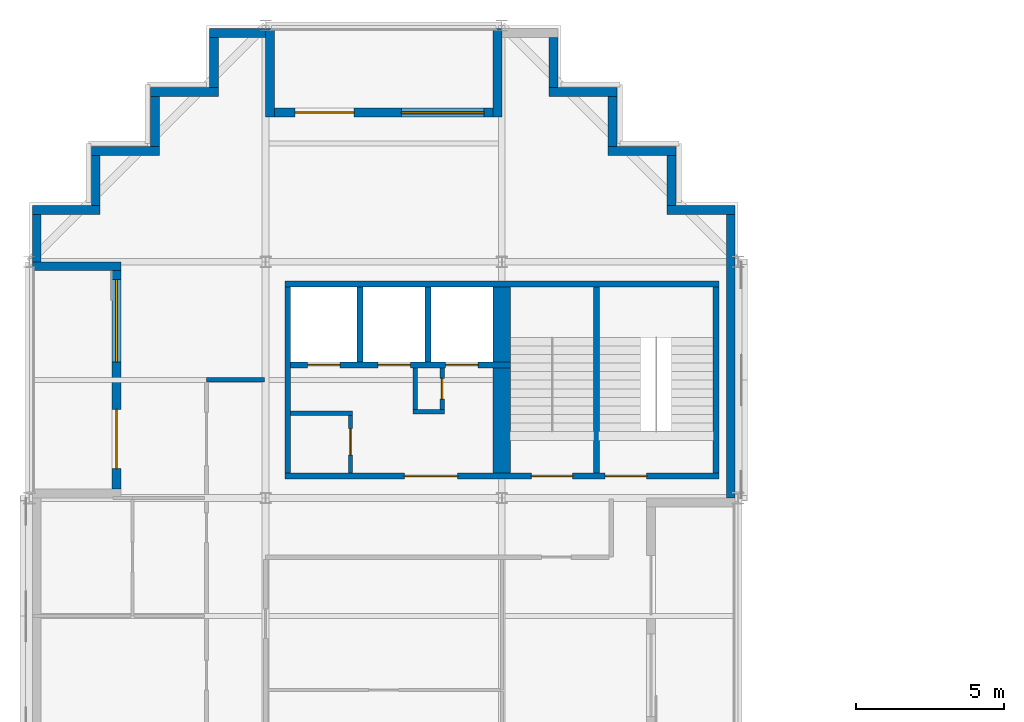
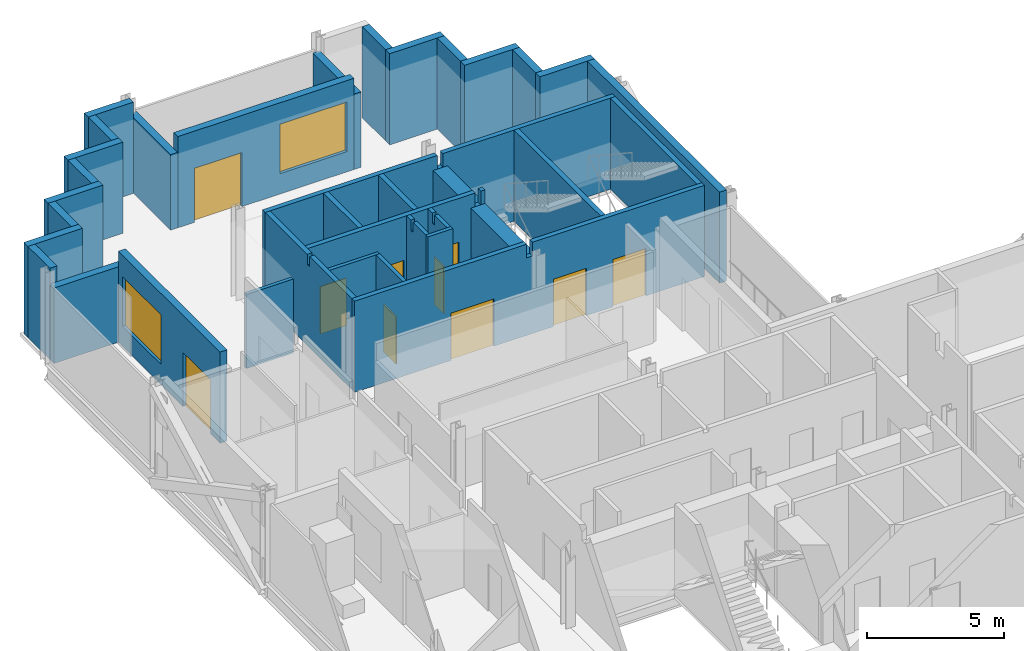
# One storey, part 8 of 12: 36 walls, 10 doors, 2 windows, 12 openings.
"""IFC4 building model written with IfcOpenShell, lengths in metres."""

import ifcopenshell
import ifcopenshell.guid

model = None  # the IFC model being written
_history = None  # IfcOwnerHistory: only IFC2X3 demands one
_inside = {}  # id of a spatial element -> (the spatial element, [elements in it])
_under = {}  # id of a project, library or spatial element -> (it, [spatial elements below it])
_declared = {}  # id of a project -> (the project, [libraries it declares])
_typed = {}  # id of a type object -> (the type object, [elements of that type])
_made_of = {}  # id of a material, layer set ... -> (it, [elements and type objects made of it])


def new_model(schema):
    """Start an empty IFC model of exactly this schema.

    Asked for "IFC4X3", IfcOpenShell would pick the latest addendum, in which some entities
    have other attributes; the version numbers below select the first issue.
    IFC2X3 requires an IfcOwnerHistory on every rooted entity: one is made here for all.
    """
    global model, _history
    if schema == "IFC4X3":
        model = ifcopenshell.file(schema_version=(4, 3, 0, 0))
    else:
        model = ifcopenshell.file(schema=schema)
    _inside.clear()
    _under.clear()
    _declared.clear()
    _typed.clear()
    _made_of.clear()
    _history = None
    if model.schema == "IFC2X3":
        org = make("IfcOrganization", Name="unknown")
        user = make(
            "IfcPersonAndOrganization",
            ThePerson=make("IfcPerson", FamilyName="unknown"),
            TheOrganization=org,
        )
        app = make(
            "IfcApplication",
            ApplicationDeveloper=org,
            Version="unknown",
            ApplicationFullName="unknown",
            ApplicationIdentifier="unknown",
        )
        _history = make(
            "IfcOwnerHistory",
            OwningUser=user,
            OwningApplication=app,
            ChangeAction="ADDED",
            CreationDate=0,
        )
    return model


def make(cls, **values):
    """One entity of the class cls with the attributes given. An attribute that is None is left unset."""
    return model.create_entity(
        cls, **{name: value for name, value in values.items() if value is not None}
    )


def rooted(cls, **values):
    """An entity with a GlobalId (a new one), such as an element, a storey or a relation."""
    return make(cls, GlobalId=ifcopenshell.guid.new(), OwnerHistory=_history, **values)


def si_unit(unit_type, name, prefix=None):
    """IfcSIUnit, for example si_unit("LENGTHUNIT", "METRE", prefix="MILLI")."""
    return make("IfcSIUnit", UnitType=unit_type, Prefix=prefix, Name=name)


def assignment(units):
    """IfcUnitAssignment: the units of a project."""
    return None if units is None else make("IfcUnitAssignment", Units=units)


def point(xyz):
    """IfcCartesianPoint."""
    return None if xyz is None else make("IfcCartesianPoint", Coordinates=xyz)


def direction(xyz):
    """IfcDirection."""
    return None if xyz is None else make("IfcDirection", DirectionRatios=xyz)


def frame(location, z_axis=None, x_axis=None):
    """IfcAxis2Placement3D, a coordinate frame: its origin and axes. An axis left out is left unset."""
    return make(
        "IfcAxis2Placement3D",
        Location=point(location),
        Axis=direction(z_axis),
        RefDirection=direction(x_axis),
    )


def frame_2d(location, x_axis=None):
    """IfcAxis2Placement2D, a coordinate frame in the plane: its origin and x axis."""
    return make(
        "IfcAxis2Placement2D", Location=point(location), RefDirection=direction(x_axis)
    )


def origin():
    """The frame at (0, 0, 0) with its axes left unset."""
    return frame((0.0, 0.0, 0.0))


def place(relative_to, where):
    """IfcLocalPlacement: puts the frame where relative to a parent placement (None: the world)."""
    return make(
        "IfcLocalPlacement", PlacementRelTo=relative_to, RelativePlacement=where
    )


def context(
    kind, dimensions, precision=None, world=None, true_north=None, identifier=None
):
    """IfcGeometricRepresentationContext, for example the 3D "Model" context."""
    return make(
        "IfcGeometricRepresentationContext",
        ContextIdentifier=identifier,
        ContextType=kind,
        CoordinateSpaceDimension=dimensions,
        Precision=precision,
        WorldCoordinateSystem=world,
        TrueNorth=true_north,
    )


def subcontext(parent, identifier, kind, view, scale=None):
    """IfcGeometricRepresentationSubContext, for example "Body" below "Model"."""
    return make(
        "IfcGeometricRepresentationSubContext",
        ContextIdentifier=identifier,
        ContextType=kind,
        ParentContext=parent,
        TargetScale=scale,
        TargetView=view,
    )


def project(units=None, contexts=None):
    """IfcProject with its units and contexts."""
    return rooted(
        "IfcProject",
        Name="project",
        RepresentationContexts=contexts,
        UnitsInContext=assignment(units),
    )


def spatial(cls, under=None, at=None, **own):
    """A site, building, storey or space (cls), placed at a placement, below another one or the project."""
    s = rooted(cls, ObjectPlacement=at, **own)
    if under is not None:
        _under.setdefault(under.id(), (under, []))[1].append(s)
    return s


def polyline(points):
    """IfcPolyline through the points."""
    return make("IfcPolyline", Points=[point(p) for p in points])


def profile(cls, at=None, kind="AREA", **sizes):
    """A parametric profile (cls). Its sizes go by their IFC names, for example OverallWidth=200.0."""
    return make(cls, ProfileType=kind, Position=at, **sizes)


def rectangle(**sizes):
    """IfcRectangleProfileDef."""
    return profile("IfcRectangleProfileDef", **sizes)


def outline(outer, holes=None, kind="AREA"):
    """IfcArbitraryClosedProfileDef: a profile drawn as a closed curve; with holes, ...WithVoids."""
    if holes is None:
        return make("IfcArbitraryClosedProfileDef", ProfileType=kind, OuterCurve=outer)
    return make(
        "IfcArbitraryProfileDefWithVoids",
        ProfileType=kind,
        OuterCurve=outer,
        InnerCurves=holes,
    )


def extrude(swept, where, along, depth):
    """IfcExtrudedAreaSolid: the profile swept, set in the frame where, extruded along a direction by depth."""
    return make(
        "IfcExtrudedAreaSolid",
        SweptArea=swept,
        Position=where,
        ExtrudedDirection=direction(along),
        Depth=depth,
    )


def shape(context_of_items, identifier, shape_type, items):
    """IfcShapeRepresentation: the items that make up one representation, for example the "Body"."""
    return make(
        "IfcShapeRepresentation",
        ContextOfItems=context_of_items,
        RepresentationIdentifier=identifier,
        RepresentationType=shape_type,
        Items=items,
    )


def material(Name=None, Category=None):
    """IfcMaterial."""
    return make("IfcMaterial", Name=Name, Category=Category)


def layer(
    of_material, thickness, ventilated=None, Name=None, Category=None, Priority=None
):
    """IfcMaterialLayer: one layer of a wall or slab, of a material (None: an air gap)."""
    return make(
        "IfcMaterialLayer",
        Material=of_material,
        LayerThickness=thickness,
        IsVentilated=ventilated,
        Name=Name,
        Category=Category,
        Priority=Priority,
    )


def layer_set(layers, Name=None):
    """IfcMaterialLayerSet."""
    return make("IfcMaterialLayerSet", MaterialLayers=layers, LayerSetName=Name)


def made_of(thing, what):
    """Note that an element or type object is made of a material, layer set ...; save() writes the relation."""
    if what is not None:
        _made_of.setdefault(what.id(), (what, []))[1].append(thing)
    return thing


def type_object(cls, material=None, **own):
    """A type object (cls), such as IfcWallType, which elements share."""
    return made_of(rooted(cls, **own), material)


def element(
    cls,
    number,
    at=None,
    inside=None,
    cuts=None,
    type_object=None,
    material=None,
    context=None,
    identifier="Body",
    shape_type=None,
    held_by="IfcProductDefinitionShape",
    body=None,
    shapes=None,
    **own,
):
    """One element of the class cls, such as IfcWall. Its Tag is "e" and its number.

    at: its placement. inside: the storey or other place that contains it. cuts: it is an
    opening in that element (IfcRelVoidsElement). A single representation is given by context,
    identifier, shape_type and body (its items); several are given by shapes. held_by: the class
    of the entity that holds the representations. save() writes the other relations.
    """
    e = rooted(cls, Tag="e%d" % number, ObjectPlacement=at, **own)
    if body is not None:
        shapes = [shape(context, identifier, shape_type, body)]
    if shapes is not None:
        e.Representation = make(held_by, Representations=shapes)
    if inside is not None:
        _inside.setdefault(inside.id(), (inside, []))[1].append(e)
    if cuts is not None:
        rooted(
            "IfcRelVoidsElement", RelatingBuildingElement=cuts, RelatedOpeningElement=e
        )
    if type_object is not None:
        _typed.setdefault(type_object.id(), (type_object, []))[1].append(e)
    return made_of(e, material)


def fill(opening, filler):
    """IfcRelFillsElement: the door or window that sits in an opening."""
    return rooted(
        "IfcRelFillsElement",
        RelatingOpeningElement=opening,
        RelatedBuildingElement=filler,
    )


def aggregate(whole, parts):
    """IfcRelAggregates: a whole, such as a stair, and the parts it consists of."""
    return rooted("IfcRelAggregates", RelatingObject=whole, RelatedObjects=parts)


def save(model, path):
    """Write the relations noted so far, then the file.

    IfcRelAggregates (storeys below a building ...), IfcRelContainedInSpatialStructure (elements
    in a storey), IfcRelDefinesByType, IfcRelAssociatesMaterial and IfcRelDeclares: one each for
    every whole, place, type object, material and project.
    """
    for whole, parts in _under.values():
        aggregate(whole, parts)
    for where, things in _inside.values():
        rooted(
            "IfcRelContainedInSpatialStructure",
            RelatedElements=things,
            RelatingStructure=where,
        )
    for kind, things in _typed.values():
        rooted("IfcRelDefinesByType", RelatedObjects=things, RelatingType=kind)
    for what, things in _made_of.values():
        rooted("IfcRelAssociatesMaterial", RelatedObjects=things, RelatingMaterial=what)
    for by, libraries in _declared.values():
        rooted("IfcRelDeclares", RelatingContext=by, RelatedDefinitions=libraries)
    model.write(path)


model = new_model("IFC4")

# Units and contexts
model_context = context("Model", 3, precision=1e-05, world=origin(), true_north=direction((0.0, 1.0)))
body_context = subcontext(model_context, "Body", "Model", "MODEL_VIEW")
ifc_project = project(units=[si_unit("LENGTHUNIT", "METRE"), si_unit("AREAUNIT", "SQUARE_METRE"), si_unit("VOLUMEUNIT", "CUBIC_METRE"), si_unit("PLANEANGLEUNIT", "RADIAN"), si_unit("MASSUNIT", "GRAM", prefix="KILO")], contexts=[model_context])

# Site, building, storey
site_placement = place(None, origin())
site = spatial("IfcSite", under=ifc_project, at=site_placement, CompositionType="ELEMENT")
building_placement = place(site_placement, origin())
building = spatial("IfcBuilding", under=site, at=building_placement, Name="Immortelle Media Tower", CompositionType="ELEMENT")
storey_placement = place(building_placement, frame((0.0, 0.0, 149.39990234375)))
storey = spatial("IfcBuildingStorey", under=building, at=storey_placement, Name="L30", CompositionType="ELEMENT", Elevation=149.39990234375)

# Wall
ifc_material_1 = material(Name="Fire-rated gypsum board", Category="gypsum")
ifc_layer_1 = layer(ifc_material_1, 0.02490234375)
ifc_material_2 = material(Name="Steel ASTM A653 SS Gr 50 stud frame with mineral wool", Category="steel")
ifc_layer_2 = layer(ifc_material_2, 0.10009765625)
ifc_layer_3 = layer(ifc_material_1, 0.02490234375)
ifc_layer_set_1 = layer_set([ifc_layer_1, ifc_layer_2, ifc_layer_3], Name="Steel ASTM A653 SS Gr 50 stud frame with mineral wool")
wall_type_1 = type_object("IfcWallType", Name="Core partition 150", PredefinedType="PARTITIONING", material=ifc_layer_set_1)
wall_1_placement = place(storey_placement, frame((8.85009765625, 34.875, 0.0), z_axis=(0.0, 0.0, 1.0), x_axis=(1.0, 0.0, 0.0)))
element("IfcWall", 1, at=wall_1_placement, inside=storey, type_object=wall_type_1, Name="Core partition NW", PredefinedType="PARTITIONING", context=body_context, shape_type="SweptSolid", body=[
    extrude(rectangle(XDim=2.099853515625, YDim=0.14990234375, at=frame_2d((1.0498046875, 0.0))), origin(), (0.0, 0.0, 1.0), 4.050048828125),
])

# Wall, opening, door
wall_2_placement = place(storey_placement, frame((10.875, 32.85009765625, 0.0), z_axis=(0.0, 0.0, 1.0), x_axis=(0.0, 1.0, 0.0)))
wall_2 = element("IfcWall", 2, at=wall_2_placement, inside=storey, type_object=wall_type_1, Name="Core partition NW", PredefinedType="PARTITIONING", context=body_context, shape_type="SweptSolid", body=[
    extrude(rectangle(XDim=1.949951171875, YDim=0.14990234375, at=frame_2d((0.97509765625, 0.0))), origin(), (0.0, 0.0, 1.0), 4.050048828125),
])
opening_1_placement = place(wall_2_placement, frame((0.60009765625, 0.0, 0.0)))
opening_1 = element("IfcOpeningElement", 3, at=opening_1_placement, cuts=wall_2, Name="Opening C3-K024", PredefinedType="OPENING", context=body_context, shape_type="SweptSolid", body=[
    extrude(rectangle(XDim=0.89990234375, YDim=2.10009765625, at=frame_2d((0.449951171875, 1.050048828125))), frame((0.0, 0.0849609375, 0.0), z_axis=(0.0, -1.0, 0.0), x_axis=(1.0, 0.0, 0.0)), (0.0, 0.0, 1.0), 0.169921875),
])
ifc_material_3 = material(Name="Galvanised steel door leaf and frame ASTM A653", Category="steel")
door_type_1 = type_object("IfcDoorType", Name="Service door 900 x 2100", OperationType="NOTDEFINED", PredefinedType="NOTDEFINED", material=ifc_material_3)
door_1_placement = place(opening_1_placement, origin())
door_1 = element("IfcDoor", 4, at=door_1_placement, inside=storey, type_object=door_type_1, Name="Service C3-K024", OperationType="SINGLE_SWING_LEFT", OverallHeight=2.10009765625, OverallWidth=0.89990234375, PredefinedType="NOTDEFINED", context=body_context, shape_type="SweptSolid", body=[
    extrude(rectangle(XDim=0.89990234375, YDim=2.10009765625, at=frame_2d((0.449951171875, 1.050048828125))), frame((0.0, 0.02490234375, 0.0), z_axis=(0.0, -1.0, 0.0), x_axis=(1.0, 0.0, 0.0)), (0.0, 0.0, 1.0), 0.050048828125),
])
fill(opening_1, door_1)

# Walls
wall_3_placement = place(storey_placement, frame((13.0, 34.925048828125, 0.0), z_axis=(0.0, 0.0, 1.0), x_axis=(1.0, 0.0, 0.0)))
element("IfcWall", 5, at=wall_3_placement, inside=storey, type_object=wall_type_1, Name="Core partition NW", PredefinedType="PARTITIONING", context=body_context, shape_type="SweptSolid", body=[
    extrude(rectangle(XDim=1.050048828125, YDim=0.14990234375, at=frame_2d((0.52490234375, 0.0))), origin(), (0.0, 0.0, 1.0), 4.050048828125),
])
wall_4_placement = place(storey_placement, frame((13.074951171875, 35.0, 0.0), z_axis=(0.0, 0.0, 1.0), x_axis=(0.0, 1.0, 0.0)))
element("IfcWall", 6, at=wall_4_placement, inside=storey, type_object=wall_type_1, Name="Core partition NW", PredefinedType="PARTITIONING", context=body_context, shape_type="SweptSolid", body=[
    extrude(outline(polyline([(0.0, 0.0), (1.39990234375, 0.0), (1.39990234375, 4.050048828125), (1.08154296875, 4.050048828125), (1.08056640625, 3.589111328125), (0.91943359375, 3.589111328125), (0.91845703125, 4.050048828125), (0.0, 4.050048828125), (0.0, 0.0)])), frame((0.0, 0.074951171875, 0.0), z_axis=(0.0, -1.0, 0.0), x_axis=(1.0, 0.0, 0.0)), (0.0, 0.0, 1.0), 0.14990234375),
])

# Wall, opening, door
wall_5_placement = place(storey_placement, frame((13.97509765625, 35.0, 0.0), z_axis=(0.0, 0.0, 1.0), x_axis=(0.0, 1.0, 0.0)))
wall_5 = element("IfcWall", 7, at=wall_5_placement, inside=storey, type_object=wall_type_1, Name="Core partition NW", PredefinedType="PARTITIONING", context=body_context, shape_type="SweptSolid", body=[
    extrude(outline(polyline([(0.0, 0.0), (1.39990234375, 0.0), (1.39990234375, 4.050048828125), (1.08154296875, 4.050048828125), (1.08056640625, 3.589111328125), (0.91943359375, 3.589111328125), (0.91845703125, 4.050048828125), (0.0, 4.050048828125), (0.0, 0.0)])), frame((0.0, 0.074951171875, 0.0), z_axis=(0.0, -1.0, 0.0), x_axis=(1.0, 0.0, 0.0)), (0.0, 0.0, 1.0), 0.14990234375),
])
opening_2_placement = place(wall_5_placement, frame((0.35009765625, 0.0, 0.0)))
opening_2 = element("IfcOpeningElement", 8, at=opening_2_placement, cuts=wall_5, Name="Opening C3-K027", PredefinedType="OPENING", context=body_context, shape_type="SweptSolid", body=[
    extrude(rectangle(XDim=0.699951171875, YDim=2.10009765625, at=frame_2d((0.35009765625, 1.050048828125))), frame((0.0, 0.0849609375, 0.0), z_axis=(0.0, -1.0, 0.0), x_axis=(1.0, 0.0, 0.0)), (0.0, 0.0, 1.0), 0.169921875),
])
door_type_2 = type_object("IfcDoorType", Name="Service door 700 x 2100", OperationType="NOTDEFINED", PredefinedType="NOTDEFINED", material=ifc_material_3)
door_2_placement = place(opening_2_placement, origin())
door_2 = element("IfcDoor", 9, at=door_2_placement, inside=storey, type_object=door_type_2, Name="Service C3-K027", OperationType="SINGLE_SWING_LEFT", OverallHeight=2.10009765625, OverallWidth=0.699951171875, PredefinedType="NOTDEFINED", context=body_context, shape_type="SweptSolid", body=[
    extrude(rectangle(XDim=0.699951171875, YDim=2.10009765625, at=frame_2d((0.35009765625, 1.050048828125))), frame((0.0, 0.02490234375, 0.0), z_axis=(0.0, -1.0, 0.0), x_axis=(1.0, 0.0, 0.0)), (0.0, 0.0, 1.0), 0.050048828125),
])
fill(opening_2, door_2)

# Wall
ifc_layer_4 = layer(ifc_material_1, 0.03759765625)
ifc_layer_5 = layer(ifc_material_2, 0.125)
ifc_layer_6 = layer(ifc_material_1, 0.03759765625)
ifc_layer_set_2 = layer_set([ifc_layer_4, ifc_layer_5, ifc_layer_6], Name="Steel ASTM A653 SS Gr 50 stud frame with mineral wool")
wall_type_2 = type_object("IfcWallType", Name="Core shaft wall 200", PredefinedType="PARTITIONING", material=ifc_layer_set_2)
wall_6_placement = place(storey_placement, frame((8.75, 32.85009765625, 0.0), z_axis=(0.0, 0.0, 1.0), x_axis=(0.0, 1.0, 0.0)))
element("IfcWall", 10, at=wall_6_placement, inside=storey, type_object=wall_type_2, Name="Core shaft wall NW", PredefinedType="PARTITIONING", context=body_context, shape_type="SweptSolid", body=[
    extrude(outline(polyline([(0.0, 0.0), (6.2998046875, 0.0), (6.300048828125, 4.050048828125), (3.2314453125, 4.050048828125), (3.23046875, 3.589111328125), (3.069580078125, 3.589111328125), (3.068603515625, 4.050048828125), (0.0, 4.050048828125), (0.0, 0.0)])), frame((0.0, 0.10009765625, 0.0), z_axis=(0.0, -1.0, 0.0), x_axis=(1.0, 0.0, 0.0)), (0.0, 0.0, 1.0), 0.199951171875),
])

# Wall, openings, doors
wall_7_placement = place(storey_placement, frame((8.85009765625, 36.5, 0.0), z_axis=(0.0, 0.0, 1.0), x_axis=(1.0, 0.0, 0.0)))
wall_7 = element("IfcWall", 11, at=wall_7_placement, inside=storey, type_object=wall_type_2, Name="Core shaft wall NW", PredefinedType="PARTITIONING", context=body_context, shape_type="SweptSolid", body=[
    extrude(outline(polyline([(0.0, 0.0), (7.449951171875, 0.0), (7.449951171875, 4.050048828125), (7.26904296875, 4.050048828125), (7.26806640625, 3.442138671875), (7.031982421875, 3.442138671875), (7.031005859375, 4.050048828125), (0.0, 4.050048828125), (0.0, 0.0)])), frame((0.0, 0.10009765625, 0.0), z_axis=(0.0, -1.0, 0.0), x_axis=(1.0, 0.0, 0.0)), (0.0, 0.0, 1.0), 0.199951171875),
])
opening_3_placement = place(wall_7_placement, frame((0.574951171875, 0.0, 0.0)))
opening_3 = element("IfcOpeningElement", 12, at=opening_3_placement, cuts=wall_7, Name="Opening LD", PredefinedType="OPENING", context=body_context, shape_type="SweptSolid", body=[
    extrude(rectangle(XDim=1.10009765625, YDim=2.10009765625, at=frame_2d((0.550048828125, 1.050048828125))), frame((0.0, 0.10986328125, 0.0), z_axis=(0.0, -1.0, 0.0), x_axis=(1.0, 0.0, 0.0)), (0.0, 0.0, 1.0), 0.219970703125),
])
opening_4_placement = place(wall_7_placement, frame((2.949951171875, 0.0, 0.0)))
opening_4 = element("IfcOpeningElement", 13, at=opening_4_placement, cuts=wall_7, Name="Opening LD", PredefinedType="OPENING", context=body_context, shape_type="SweptSolid", body=[
    extrude(rectangle(XDim=1.10009765625, YDim=2.10009765625, at=frame_2d((0.550048828125, 1.050048828125))), frame((0.0, 0.10986328125, 0.0), z_axis=(0.0, -1.0, 0.0), x_axis=(1.0, 0.0, 0.0)), (0.0, 0.0, 1.0), 0.219970703125),
])
opening_5_placement = place(wall_7_placement, frame((5.25, 0.0, 0.0)))
opening_5 = element("IfcOpeningElement", 14, at=opening_5_placement, cuts=wall_7, Name="Opening LD", PredefinedType="OPENING", context=body_context, shape_type="SweptSolid", body=[
    extrude(rectangle(XDim=1.10009765625, YDim=2.10009765625, at=frame_2d((0.550048828125, 1.050048828125))), frame((0.0, 0.10986328125, 0.0), z_axis=(0.0, -1.0, 0.0), x_axis=(1.0, 0.0, 0.0)), (0.0, 0.0, 1.0), 0.219970703125),
])
ifc_material_4 = material(Name="Stainless steel AISI 304", Category="steel")
door_type_3 = type_object("IfcDoorType", Name="Landing door 1100 x 2100", OperationType="SLIDING_TO_LEFT", PredefinedType="NOTDEFINED", material=ifc_material_4)
door_3_placement = place(opening_3_placement, origin())
door_3 = element("IfcDoor", 15, at=door_3_placement, inside=storey, type_object=door_type_3, Name="Landing door MR1 L30", OperationType="SLIDING_TO_LEFT", OverallHeight=2.10009765625, OverallWidth=1.10009765625, PredefinedType="NOTDEFINED", context=body_context, shape_type="SweptSolid", body=[
    extrude(rectangle(XDim=1.10009765625, YDim=2.10009765625, at=frame_2d((0.550048828125, 1.050048828125))), frame((0.0, 0.02490234375, 0.0), z_axis=(0.0, -1.0, 0.0), x_axis=(1.0, 0.0, 0.0)), (0.0, 0.0, 1.0), 0.050048828125),
])
fill(opening_3, door_3)
door_4_placement = place(opening_4_placement, origin())
door_4 = element("IfcDoor", 16, at=door_4_placement, inside=storey, type_object=door_type_3, Name="Landing door MR2 L30", OperationType="SLIDING_TO_LEFT", OverallHeight=2.10009765625, OverallWidth=1.10009765625, PredefinedType="NOTDEFINED", context=body_context, shape_type="SweptSolid", body=[
    extrude(rectangle(XDim=1.10009765625, YDim=2.10009765625, at=frame_2d((0.550048828125, 1.050048828125))), frame((0.0, 0.02490234375, 0.0), z_axis=(0.0, -1.0, 0.0), x_axis=(1.0, 0.0, 0.0)), (0.0, 0.0, 1.0), 0.050048828125),
])
fill(opening_4, door_4)
door_5_placement = place(opening_5_placement, origin())
door_5 = element("IfcDoor", 17, at=door_5_placement, inside=storey, type_object=door_type_3, Name="Landing door MR3 L30", OperationType="SLIDING_TO_LEFT", OverallHeight=2.10009765625, OverallWidth=1.10009765625, PredefinedType="NOTDEFINED", context=body_context, shape_type="SweptSolid", body=[
    extrude(rectangle(XDim=1.10009765625, YDim=2.10009765625, at=frame_2d((0.550048828125, 1.050048828125))), frame((0.0, 0.02490234375, 0.0), z_axis=(0.0, -1.0, 0.0), x_axis=(1.0, 0.0, 0.0)), (0.0, 0.0, 1.0), 0.050048828125),
])
fill(opening_5, door_5)

# Walls
for number, where, z_axis, x_axis, name in (
    (18, (11.199951171875, 36.60009765625, 0.0), (0.0, 0.0, 1.0), (0.0, 1.0, 0.0), "Core shaft wall NW"),
    (19, (13.5, 36.60009765625, 0.0), (0.0, 0.0, 1.0), (0.0, 1.0, 0.0), "Core shaft wall NW"),
):
    element("IfcWall", number, at=place(storey_placement, frame(where, z_axis=z_axis, x_axis=x_axis)), inside=storey, type_object=wall_type_2, Name=name, PredefinedType="PARTITIONING", context=body_context, shape_type="SweptSolid", body=[
        extrude(rectangle(XDim=2.5498046875, YDim=0.199951171875, at=frame_2d((1.27490234375, 0.0))), origin(), (0.0, 0.0, 1.0), 4.050048828125),
    ])
ifc_layer_7 = layer(ifc_material_1, 0.012451171875)
ifc_layer_8 = layer(ifc_material_2, 0.125)
ifc_layer_9 = layer(ifc_material_1, 0.012451171875)
ifc_layer_set_3 = layer_set([ifc_layer_7, ifc_layer_8, ifc_layer_9], Name="Steel ASTM A653 SS Gr 50 stud frame with mineral wool")
wall_type_3 = type_object("IfcWallType", Name="Corridor wall 150", PredefinedType="PARTITIONING", material=ifc_layer_set_3)
wall_8_placement = place(storey_placement, frame((6.0, 36.0, 0.0), z_axis=(0.0, 0.0, 1.0), x_axis=(1.0, 0.0, 0.0)))
element("IfcWall", 20, at=wall_8_placement, inside=storey, type_object=wall_type_3, Name="Partition L30-030", PredefinedType="PARTITIONING", context=body_context, shape_type="SweptSolid", body=[
    extrude(rectangle(XDim=1.969970703125, YDim=0.14990234375, at=frame_2d((0.98486328125, 0.0))), origin(), (0.0, 0.0, 1.0), 3.2880859375),
])
ifc_material_5 = material(Name="Pale aluminium cladding panel", Category="aluminium")
ifc_layer_10 = layer(ifc_material_5, 0.030029296875)
ifc_layer_11 = layer(ifc_material_2, 0.257568359375)
ifc_material_6 = material(Name="Moisture-resistant gypsum board", Category="gypsum")
ifc_layer_12 = layer(ifc_material_6, 0.012451171875)
ifc_layer_set_4 = layer_set([ifc_layer_10, ifc_layer_11, ifc_layer_12], Name="Steel ASTM A653 SS Gr 50 stud frame with mineral wool")
wall_type_4 = type_object("IfcWallType", Name="Facade wall 300", PredefinedType="SOLIDWALL", material=ifc_layer_set_4)
wall_9_placement = place(storey_placement, frame((23.75, 32.0, 0.0), z_axis=(0.0, 0.0, 1.0), x_axis=(0.0, 1.0, 0.0)))
element("IfcWall", 21, at=wall_9_placement, inside=storey, type_object=wall_type_4, Name="Facade wall L30 E21", PredefinedType="SOLIDWALL", context=body_context, shape_type="SweptSolid", body=[
    extrude(rectangle(XDim=9.60009765625, YDim=0.300048828125, at=frame_2d((4.800048828125, 0.0))), origin(), (0.0, 0.0, 1.0), 4.050048828125),
])
wall_10_placement = place(storey_placement, frame((23.89990234375, 41.75, 0.0), z_axis=(0.0, 0.0, 1.0), x_axis=(-1.0, 0.0, 0.0)))
element("IfcWall", 22, at=wall_10_placement, inside=storey, type_object=wall_type_4, Name="Facade wall L30 N22", PredefinedType="SOLIDWALL", context=body_context, shape_type="SweptSolid", body=[
    extrude(rectangle(XDim=2.2998046875, YDim=0.300048828125, at=frame_2d((1.14990234375, 0.0))), origin(), (0.0, 0.0, 1.0), 4.050048828125),
])
wall_11_placement = place(storey_placement, frame((21.75, 41.89990234375, 0.0), z_axis=(0.0, 0.0, 1.0), x_axis=(0.0, 1.0, 0.0)))
element("IfcWall", 23, at=wall_11_placement, inside=storey, type_object=wall_type_4, Name="Facade wall L30 E23", PredefinedType="SOLIDWALL", context=body_context, shape_type="SweptSolid", body=[
    extrude(rectangle(XDim=1.7001953125, YDim=0.300048828125, at=frame_2d((0.85009765625, 0.0))), origin(), (0.0, 0.0, 1.0), 4.050048828125),
])
wall_12_placement = place(storey_placement, frame((21.89990234375, 43.75, 0.0), z_axis=(0.0, 0.0, 1.0), x_axis=(-1.0, 0.0, 0.0)))
element("IfcWall", 24, at=wall_12_placement, inside=storey, type_object=wall_type_4, Name="Facade wall L30 N24", PredefinedType="SOLIDWALL", context=body_context, shape_type="SweptSolid", body=[
    extrude(rectangle(XDim=2.2998046875, YDim=0.300048828125, at=frame_2d((1.14990234375, 0.0))), origin(), (0.0, 0.0, 1.0), 4.050048828125),
])
wall_13_placement = place(storey_placement, frame((19.75, 43.89990234375, 0.0), z_axis=(0.0, 0.0, 1.0), x_axis=(0.0, 1.0, 0.0)))
element("IfcWall", 25, at=wall_13_placement, inside=storey, type_object=wall_type_4, Name="Facade wall L30 E25", PredefinedType="SOLIDWALL", context=body_context, shape_type="SweptSolid", body=[
    extrude(rectangle(XDim=1.7001953125, YDim=0.300048828125, at=frame_2d((0.85009765625, 0.0))), origin(), (0.0, 0.0, 1.0), 4.050048828125),
])
wall_14_placement = place(storey_placement, frame((19.89990234375, 45.75, 0.0), z_axis=(0.0, 0.0, 1.0), x_axis=(-1.0, 0.0, 0.0)))
element("IfcWall", 26, at=wall_14_placement, inside=storey, type_object=wall_type_4, Name="Facade wall L30 N26", PredefinedType="SOLIDWALL", context=body_context, shape_type="SweptSolid", body=[
    extrude(rectangle(XDim=2.2998046875, YDim=0.300048828125, at=frame_2d((1.14990234375, 0.0))), origin(), (0.0, 0.0, 1.0), 4.050048828125),
])
wall_15_placement = place(storey_placement, frame((17.75, 45.89990234375, 0.0), z_axis=(0.0, 0.0, 1.0), x_axis=(0.0, 1.0, 0.0)))
element("IfcWall", 27, at=wall_15_placement, inside=storey, type_object=wall_type_4, Name="Facade wall L30 E27", PredefinedType="SOLIDWALL", context=body_context, shape_type="SweptSolid", body=[
    extrude(rectangle(XDim=1.7001953125, YDim=0.300048828125, at=frame_2d((0.85009765625, 0.0))), origin(), (0.0, 0.0, 1.0), 4.050048828125),
])

# Wall, openings, door, window
wall_16_placement = place(storey_placement, frame((15.699951171875, 45.050048828125, 0.0), z_axis=(0.0, 0.0, 1.0), x_axis=(-1.0, 0.0, 0.0)))
wall_16 = element("IfcWall", 28, at=wall_16_placement, inside=storey, type_object=wall_type_4, Name="Loggia wall L30 N28", PredefinedType="SOLIDWALL", context=body_context, shape_type="SweptSolid", body=[
    extrude(rectangle(XDim=7.39990234375, YDim=0.300048828125, at=frame_2d((3.699951171875, 0.0))), origin(), (0.0, 0.0, 1.0), 4.050048828125),
])
opening_6_placement = place(wall_16_placement, frame((0.300048828125, 0.0, 0.89990234375)))
opening_6 = element("IfcOpeningElement", 29, at=opening_6_placement, cuts=wall_16, Name="Opening W1", PredefinedType="OPENING", context=body_context, shape_type="SweptSolid", body=[
    extrude(rectangle(XDim=2.800048828125, YDim=2.199951171875, at=frame_2d((1.39990234375, 1.10009765625))), frame((0.0, 0.159912109375, 0.0), z_axis=(0.0, -1.0, 0.0), x_axis=(1.0, 0.0, 0.0)), (0.0, 0.0, 1.0), 0.320068359375),
])
opening_7_placement = place(wall_16_placement, frame((4.699951171875, 0.0, 0.0)))
opening_7 = element("IfcOpeningElement", 30, at=opening_7_placement, cuts=wall_16, Name="Opening C3-E006", PredefinedType="OPENING", context=body_context, shape_type="SweptSolid", body=[
    extrude(rectangle(XDim=2.0, YDim=2.39990234375, at=frame_2d((1.0, 1.199951171875))), frame((0.0, 0.159912109375, 0.0), z_axis=(0.0, -1.0, 0.0), x_axis=(1.0, 0.0, 0.0)), (0.0, 0.0, 1.0), 0.320068359375),
])
ifc_material_7 = material(Name="Aluminium frame, glazed leaves", Category="aluminium")
door_type_4 = type_object("IfcDoorType", Name="Loggia door 2000 x 2400", OperationType="DOUBLE_DOOR_SINGLE_SWING", PredefinedType="DOOR", material=ifc_material_7)
door_6_placement = place(opening_7_placement, origin())
door_6 = element("IfcDoor", 31, at=door_6_placement, inside=storey, type_object=door_type_4, Name="Door C3-E006", OperationType="DOUBLE_DOOR_SINGLE_SWING", OverallHeight=2.39990234375, OverallWidth=2.0, PredefinedType="DOOR", context=body_context, shape_type="SweptSolid", body=[
    extrude(rectangle(XDim=2.0, YDim=2.39990234375, at=frame_2d((1.0, 1.199951171875))), frame((0.0, 0.02490234375, 0.0), z_axis=(0.0, -1.0, 0.0), x_axis=(1.0, 0.0, 0.0)), (0.0, 0.0, 1.0), 0.050048828125),
])
fill(opening_7, door_6)
ifc_material_8 = material(Name="Aluminium frame", Category="aluminium")
window_type = type_object("IfcWindowType", Name="Window 2800 x 2200", PartitioningType="SINGLE_PANEL", PredefinedType="WINDOW", material=ifc_material_8)
window_1_placement = place(opening_6_placement, origin())
window_1 = element("IfcWindow", 32, at=window_1_placement, inside=storey, type_object=window_type, Name="Window L30 L30-R28-B0", OverallHeight=2.199951171875, OverallWidth=2.800048828125, PartitioningType="SINGLE_PANEL", PredefinedType="WINDOW", context=body_context, shape_type="SweptSolid", body=[
    extrude(rectangle(XDim=2.800048828125, YDim=2.199951171875, at=frame_2d((1.39990234375, 1.10009765625))), frame((0.0, 0.030029296875, 0.0), z_axis=(0.0, -1.0, 0.0), x_axis=(1.0, 0.0, 0.0)), (0.0, 0.0, 1.0), 0.06005859375),
])
fill(opening_6, window_1)

# Walls
for number, where, z_axis, x_axis, name in (
    (33, (15.85009765625, 47.89990234375, 0.0), (0.0, 0.0, 1.0), (0.0, -1.0, 0.0), "Loggia cheek wall L30 N"),
    (34, (8.14990234375, 47.89990234375, 0.0), (0.0, 0.0, 1.0), (0.0, -1.0, 0.0), "Loggia cheek wall L30 N"),
):
    element("IfcWall", number, at=place(storey_placement, frame(where, z_axis=z_axis, x_axis=x_axis)), inside=storey, type_object=wall_type_4, Name=name, PredefinedType="SOLIDWALL", context=body_context, shape_type="SweptSolid", body=[
        extrude(rectangle(XDim=3.0, YDim=0.300048828125, at=frame_2d((1.5, 0.0))), origin(), (0.0, 0.0, 1.0), 3.35302734375),
    ])
wall_17_placement = place(storey_placement, frame((8.0, 47.75, 0.0), z_axis=(0.0, 0.0, 1.0), x_axis=(-1.0, 0.0, 0.0)))
element("IfcWall", 35, at=wall_17_placement, inside=storey, type_object=wall_type_4, Name="Facade wall L30 N28", PredefinedType="SOLIDWALL", context=body_context, shape_type="SweptSolid", body=[
    extrude(rectangle(XDim=1.89990234375, YDim=0.300048828125, at=frame_2d((0.949951171875, 0.0))), origin(), (0.0, 0.0, 1.0), 4.050048828125),
])
wall_18_placement = place(storey_placement, frame((6.25, 47.60009765625, 0.0), z_axis=(0.0, 0.0, 1.0), x_axis=(0.0, -1.0, 0.0)))
element("IfcWall", 36, at=wall_18_placement, inside=storey, type_object=wall_type_4, Name="Facade wall L30 W29", PredefinedType="SOLIDWALL", context=body_context, shape_type="SweptSolid", body=[
    extrude(rectangle(XDim=1.7001953125, YDim=0.300048828125, at=frame_2d((0.85009765625, 0.0))), origin(), (0.0, 0.0, 1.0), 4.050048828125),
])
wall_19_placement = place(storey_placement, frame((6.39990234375, 45.75, 0.0), z_axis=(0.0, 0.0, 1.0), x_axis=(-1.0, 0.0, 0.0)))
element("IfcWall", 37, at=wall_19_placement, inside=storey, type_object=wall_type_4, Name="Facade wall L30 N30", PredefinedType="SOLIDWALL", context=body_context, shape_type="SweptSolid", body=[
    extrude(rectangle(XDim=2.2998046875, YDim=0.300048828125, at=frame_2d((1.14990234375, 0.0))), origin(), (0.0, 0.0, 1.0), 4.050048828125),
])
wall_20_placement = place(storey_placement, frame((4.25, 45.60009765625, 0.0), z_axis=(0.0, 0.0, 1.0), x_axis=(0.0, -1.0, 0.0)))
element("IfcWall", 38, at=wall_20_placement, inside=storey, type_object=wall_type_4, Name="Facade wall L30 W31", PredefinedType="SOLIDWALL", context=body_context, shape_type="SweptSolid", body=[
    extrude(rectangle(XDim=1.7001953125, YDim=0.300048828125, at=frame_2d((0.85009765625, 0.0))), origin(), (0.0, 0.0, 1.0), 4.050048828125),
])
wall_21_placement = place(storey_placement, frame((4.39990234375, 43.75, 0.0), z_axis=(0.0, 0.0, 1.0), x_axis=(-1.0, 0.0, 0.0)))
element("IfcWall", 39, at=wall_21_placement, inside=storey, type_object=wall_type_4, Name="Facade wall L30 N32", PredefinedType="SOLIDWALL", context=body_context, shape_type="SweptSolid", body=[
    extrude(rectangle(XDim=2.2998046875, YDim=0.300048828125, at=frame_2d((1.14990234375, 0.0))), origin(), (0.0, 0.0, 1.0), 4.050048828125),
])
wall_22_placement = place(storey_placement, frame((2.25, 43.60009765625, 0.0), z_axis=(0.0, 0.0, 1.0), x_axis=(0.0, -1.0, 0.0)))
element("IfcWall", 40, at=wall_22_placement, inside=storey, type_object=wall_type_4, Name="Facade wall L30 W33", PredefinedType="SOLIDWALL", context=body_context, shape_type="SweptSolid", body=[
    extrude(rectangle(XDim=1.7001953125, YDim=0.300048828125, at=frame_2d((0.85009765625, 0.0))), origin(), (0.0, 0.0, 1.0), 4.050048828125),
])
wall_23_placement = place(storey_placement, frame((2.39990234375, 41.75, 0.0), z_axis=(0.0, 0.0, 1.0), x_axis=(-1.0, 0.0, 0.0)))
element("IfcWall", 41, at=wall_23_placement, inside=storey, type_object=wall_type_4, Name="Facade wall L30 N34", PredefinedType="SOLIDWALL", context=body_context, shape_type="SweptSolid", body=[
    extrude(rectangle(XDim=2.2998046875, YDim=0.300048828125, at=frame_2d((1.14990234375, 0.0))), origin(), (0.0, 0.0, 1.0), 4.050048828125),
])
wall_24_placement = place(storey_placement, frame((0.25, 41.60009765625, 0.0), z_axis=(0.0, 0.0, 1.0), x_axis=(0.0, -1.0, 0.0)))
element("IfcWall", 42, at=wall_24_placement, inside=storey, type_object=wall_type_4, Name="Facade wall L30 W35", PredefinedType="SOLIDWALL", context=body_context, shape_type="SweptSolid", body=[
    extrude(rectangle(XDim=1.60009765625, YDim=0.300048828125, at=frame_2d((0.800048828125, 0.0))), origin(), (0.0, 0.0, 1.0), 4.050048828125),
])

# Wall, openings, door, window
wall_25_placement = place(storey_placement, frame((2.949951171875, 39.699951171875, 0.0), z_axis=(0.0, 0.0, 1.0), x_axis=(0.0, -1.0, 0.0)))
wall_25 = element("IfcWall", 43, at=wall_25_placement, inside=storey, type_object=wall_type_4, Name="Loggia wall L30 W35", PredefinedType="SOLIDWALL", context=body_context, shape_type="SweptSolid", body=[
    extrude(rectangle(XDim=7.39990234375, YDim=0.300048828125, at=frame_2d((3.699951171875, 0.0))), origin(), (0.0, 0.0, 1.0), 4.050048828125),
])
opening_8_placement = place(wall_25_placement, frame((0.300048828125, 0.0, 0.89990234375)))
opening_8 = element("IfcOpeningElement", 44, at=opening_8_placement, cuts=wall_25, Name="Opening W1", PredefinedType="OPENING", context=body_context, shape_type="SweptSolid", body=[
    extrude(rectangle(XDim=2.800048828125, YDim=2.199951171875, at=frame_2d((1.39990234375, 1.10009765625))), frame((0.0, 0.159912109375, 0.0), z_axis=(0.0, -1.0, 0.0), x_axis=(1.0, 0.0, 0.0)), (0.0, 0.0, 1.0), 0.320068359375),
])
opening_9_placement = place(wall_25_placement, frame((4.699951171875, 0.0, 0.0)))
opening_9 = element("IfcOpeningElement", 45, at=opening_9_placement, cuts=wall_25, Name="Opening C3-E007", PredefinedType="OPENING", context=body_context, shape_type="SweptSolid", body=[
    extrude(rectangle(XDim=2.0, YDim=2.39990234375, at=frame_2d((1.0, 1.199951171875))), frame((0.0, 0.159912109375, 0.0), z_axis=(0.0, -1.0, 0.0), x_axis=(1.0, 0.0, 0.0)), (0.0, 0.0, 1.0), 0.320068359375),
])
door_7_placement = place(opening_9_placement, origin())
door_7 = element("IfcDoor", 46, at=door_7_placement, inside=storey, type_object=door_type_4, Name="Door C3-E007", OperationType="DOUBLE_DOOR_SINGLE_SWING", OverallHeight=2.39990234375, OverallWidth=2.0, PredefinedType="DOOR", context=body_context, shape_type="SweptSolid", body=[
    extrude(rectangle(XDim=2.0, YDim=2.39990234375, at=frame_2d((1.0, 1.199951171875))), frame((0.0, 0.02490234375, 0.0), z_axis=(0.0, -1.0, 0.0), x_axis=(1.0, 0.0, 0.0)), (0.0, 0.0, 1.0), 0.050048828125),
])
fill(opening_9, door_7)
window_2_placement = place(opening_8_placement, origin())
window_2 = element("IfcWindow", 47, at=window_2_placement, inside=storey, type_object=window_type, Name="Window L30 L30-R35-B0", OverallHeight=2.199951171875, OverallWidth=2.800048828125, PartitioningType="SINGLE_PANEL", PredefinedType="WINDOW", context=body_context, shape_type="SweptSolid", body=[
    extrude(rectangle(XDim=2.800048828125, YDim=2.199951171875, at=frame_2d((1.39990234375, 1.10009765625))), frame((0.0, 0.030029296875, 0.0), z_axis=(0.0, -1.0, 0.0), x_axis=(1.0, 0.0, 0.0)), (0.0, 0.0, 1.0), 0.06005859375),
])
fill(opening_8, window_2)

# Wall
wall_26_placement = place(storey_placement, frame((0.10009765625, 39.85009765625, 0.0), z_axis=(0.0, 0.0, 1.0), x_axis=(1.0, 0.0, 0.0)))
element("IfcWall", 48, at=wall_26_placement, inside=storey, type_object=wall_type_4, Name="Loggia cheek wall L30 W", PredefinedType="SOLIDWALL", context=body_context, shape_type="SweptSolid", body=[
    extrude(rectangle(XDim=3.0, YDim=0.300048828125, at=frame_2d((1.5, 0.0))), origin(), (0.0, 0.0, 1.0), 3.35302734375),
])

# Wall, openings, doors
ifc_material_9 = material(Name="Concrete C60", Category="concrete")
ifc_layer_13 = layer(ifc_material_9, 0.199951171875)
ifc_layer_set_5 = layer_set([ifc_layer_13], Name="Concrete C60")
wall_type_5 = type_object("IfcWallType", Name="Stair shaft wall 200", PredefinedType="PARTITIONING", material=ifc_layer_set_5)
wall_27_placement = place(storey_placement, frame((8.64990234375, 32.75, 0.0), z_axis=(0.0, 0.0, 1.0), x_axis=(1.0, 0.0, 0.0)))
wall_27 = element("IfcWall", 49, at=wall_27_placement, inside=storey, type_object=wall_type_5, Name="Stair shaft wall NW", PredefinedType="PARTITIONING", context=body_context, shape_type="SweptSolid", body=[
    extrude(outline(polyline([(0.0, 0.0), (14.7001953125, 0.0), (14.699951171875, 4.050048828125), (7.468994140625, 4.050048828125), (7.468017578125, 3.442138671875), (7.23193359375, 3.442138671875), (7.23095703125, 4.050048828125), (0.0, 4.050048828125), (0.0, 0.0)])), frame((0.0, 0.10009765625, 0.0), z_axis=(0.0, -1.0, 0.0), x_axis=(1.0, 0.0, 0.0)), (0.0, 0.0, 1.0), 0.199951171875),
])
opening_10_placement = place(wall_27_placement, frame((4.050048828125, 0.0, 0.0)))
opening_10 = element("IfcOpeningElement", 50, at=opening_10_placement, cuts=wall_27, Name="Opening C3-K026", PredefinedType="OPENING", context=body_context, shape_type="SweptSolid", body=[
    extrude(rectangle(XDim=1.800048828125, YDim=2.10009765625, at=frame_2d((0.89990234375, 1.050048828125))), frame((0.0, 0.10986328125, 0.0), z_axis=(0.0, -1.0, 0.0), x_axis=(1.0, 0.0, 0.0)), (0.0, 0.0, 1.0), 0.219970703125),
])
opening_11_placement = place(wall_27_placement, frame((8.35009765625, 0.0, 0.0)))
opening_11 = element("IfcOpeningElement", 51, at=opening_11_placement, cuts=wall_27, Name="Opening C3-K029", PredefinedType="OPENING", context=body_context, shape_type="SweptSolid", body=[
    extrude(rectangle(XDim=1.39990234375, YDim=2.10009765625, at=frame_2d((0.699951171875, 1.050048828125))), frame((0.0, 0.10986328125, 0.0), z_axis=(0.0, -1.0, 0.0), x_axis=(1.0, 0.0, 0.0)), (0.0, 0.0, 1.0), 0.219970703125),
])
opening_12_placement = place(wall_27_placement, frame((10.85009765625, 0.0, 0.0)))
opening_12 = element("IfcOpeningElement", 52, at=opening_12_placement, cuts=wall_27, Name="Opening C3-K030", PredefinedType="OPENING", context=body_context, shape_type="SweptSolid", body=[
    extrude(rectangle(XDim=1.39990234375, YDim=2.10009765625, at=frame_2d((0.699951171875, 1.050048828125))), frame((0.0, 0.10986328125, 0.0), z_axis=(0.0, -1.0, 0.0), x_axis=(1.0, 0.0, 0.0)), (0.0, 0.0, 1.0), 0.219970703125),
])
door_type_5 = type_object("IfcDoorType", Name="Lift lobby door 1800 x 2100", OperationType="DOUBLE_DOOR_SINGLE_SWING", PredefinedType="NOTDEFINED", material=ifc_material_3)
door_8_placement = place(opening_10_placement, origin())
door_8 = element("IfcDoor", 53, at=door_8_placement, inside=storey, type_object=door_type_5, Name="Lift lobby C3-K026", OperationType="DOUBLE_DOOR_SINGLE_SWING", OverallHeight=2.10009765625, OverallWidth=1.800048828125, PredefinedType="NOTDEFINED", context=body_context, shape_type="SweptSolid", body=[
    extrude(rectangle(XDim=1.800048828125, YDim=2.10009765625, at=frame_2d((0.89990234375, 1.050048828125))), frame((0.0, 0.02490234375, 0.0), z_axis=(0.0, -1.0, 0.0), x_axis=(1.0, 0.0, 0.0)), (0.0, 0.0, 1.0), 0.050048828125),
])
fill(opening_10, door_8)
door_type_6 = type_object("IfcDoorType", Name="Stair door 1400 x 2100", OperationType="DOUBLE_DOOR_SINGLE_SWING", PredefinedType="NOTDEFINED", material=ifc_material_3)
door_9_placement = place(opening_11_placement, origin())
door_9 = element("IfcDoor", 54, at=door_9_placement, inside=storey, type_object=door_type_6, Name="Stair C3-K029", OperationType="DOUBLE_DOOR_SINGLE_SWING", OverallHeight=2.10009765625, OverallWidth=1.39990234375, PredefinedType="NOTDEFINED", context=body_context, shape_type="SweptSolid", body=[
    extrude(rectangle(XDim=1.39990234375, YDim=2.10009765625, at=frame_2d((0.699951171875, 1.050048828125))), frame((0.0, 0.02490234375, 0.0), z_axis=(0.0, -1.0, 0.0), x_axis=(1.0, 0.0, 0.0)), (0.0, 0.0, 1.0), 0.050048828125),
])
fill(opening_11, door_9)
door_10_placement = place(opening_12_placement, origin())
door_10 = element("IfcDoor", 55, at=door_10_placement, inside=storey, type_object=door_type_6, Name="Stair C3-K030", OperationType="DOUBLE_DOOR_SINGLE_SWING", OverallHeight=2.10009765625, OverallWidth=1.39990234375, PredefinedType="NOTDEFINED", context=body_context, shape_type="SweptSolid", body=[
    extrude(rectangle(XDim=1.39990234375, YDim=2.10009765625, at=frame_2d((0.699951171875, 1.050048828125))), frame((0.0, 0.02490234375, 0.0), z_axis=(0.0, -1.0, 0.0), x_axis=(1.0, 0.0, 0.0)), (0.0, 0.0, 1.0), 0.050048828125),
])
fill(opening_12, door_10)

# Walls
wall_28_placement = place(storey_placement, frame((8.64990234375, 39.25, 0.0), z_axis=(0.0, 0.0, 1.0), x_axis=(1.0, 0.0, 0.0)))
element("IfcWall", 56, at=wall_28_placement, inside=storey, type_object=wall_type_5, Name="Stair shaft wall NW", PredefinedType="PARTITIONING", context=body_context, shape_type="SweptSolid", body=[
    extrude(outline(polyline([(0.0, 0.0), (14.7001953125, 0.0), (14.699951171875, 4.050048828125), (7.468994140625, 4.050048828125), (7.468017578125, 3.442138671875), (7.23193359375, 3.442138671875), (7.23095703125, 4.050048828125), (0.0, 4.050048828125), (0.0, 0.0)])), frame((0.0, 0.10009765625, 0.0), z_axis=(0.0, -1.0, 0.0), x_axis=(1.0, 0.0, 0.0)), (0.0, 0.0, 1.0), 0.199951171875),
])
for number, where, z_axis, x_axis, name in (
    (57, (19.199951171875, 32.85009765625, 0.0), (0.0, 0.0, 1.0), (0.0, 1.0, 0.0), "Stair shaft wall NW"),
    (58, (23.25, 32.85009765625, 0.0), (0.0, 0.0, 1.0), (0.0, 1.0, 0.0), "Stair shaft wall NW"),
):
    element("IfcWall", number, at=place(storey_placement, frame(where, z_axis=z_axis, x_axis=x_axis)), inside=storey, type_object=wall_type_5, Name=name, PredefinedType="PARTITIONING", context=body_context, shape_type="SweptSolid", body=[
        extrude(rectangle(XDim=6.2998046875, YDim=0.199951171875, at=frame_2d((3.14990234375, 0.0))), origin(), (0.0, 0.0, 1.0), 4.050048828125),
    ])
ifc_layer_14 = layer(ifc_material_9, 0.60009765625)
ifc_layer_set_6 = layer_set([ifc_layer_14], Name="Concrete C60")
wall_type_6 = type_object("IfcWallType", Name="Stair shaft wall 600", PredefinedType="PARTITIONING", material=ifc_layer_set_6)
wall_29_placement = place(storey_placement, frame((16.0, 32.85009765625, 0.0), z_axis=(0.0, 0.0, 1.0), x_axis=(0.0, 1.0, 0.0)))
element("IfcWall", 59, at=wall_29_placement, inside=storey, type_object=wall_type_6, Name="Stair shaft wall NW", PredefinedType="PARTITIONING", context=body_context, shape_type="SweptSolid", body=[
    extrude(rectangle(XDim=3.5498046875, YDim=0.60009765625, at=frame_2d((1.77490234375, 0.0))), origin(), (0.0, 0.0, 1.0), 3.442138671875),
])
wall_30_placement = place(storey_placement, frame((16.0, 36.60009765625, 0.0), z_axis=(0.0, 0.0, 1.0), x_axis=(0.0, 1.0, 0.0)))
element("IfcWall", 60, at=wall_30_placement, inside=storey, type_object=wall_type_6, Name="Stair shaft wall NW", PredefinedType="PARTITIONING", context=body_context, shape_type="SweptSolid", body=[
    extrude(rectangle(XDim=2.5498046875, YDim=0.60009765625, at=frame_2d((1.27490234375, 0.0))), origin(), (0.0, 0.0, 1.0), 3.442138671875),
])

save(model, "model.ifc")
